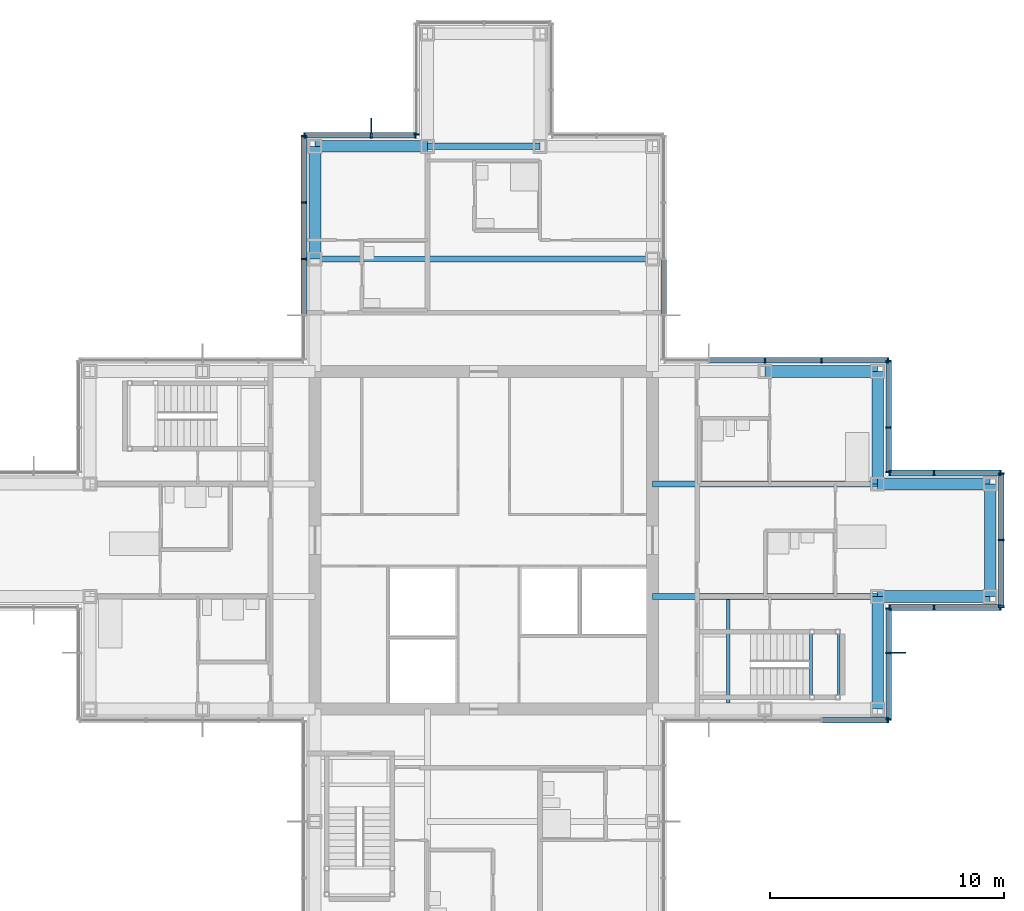
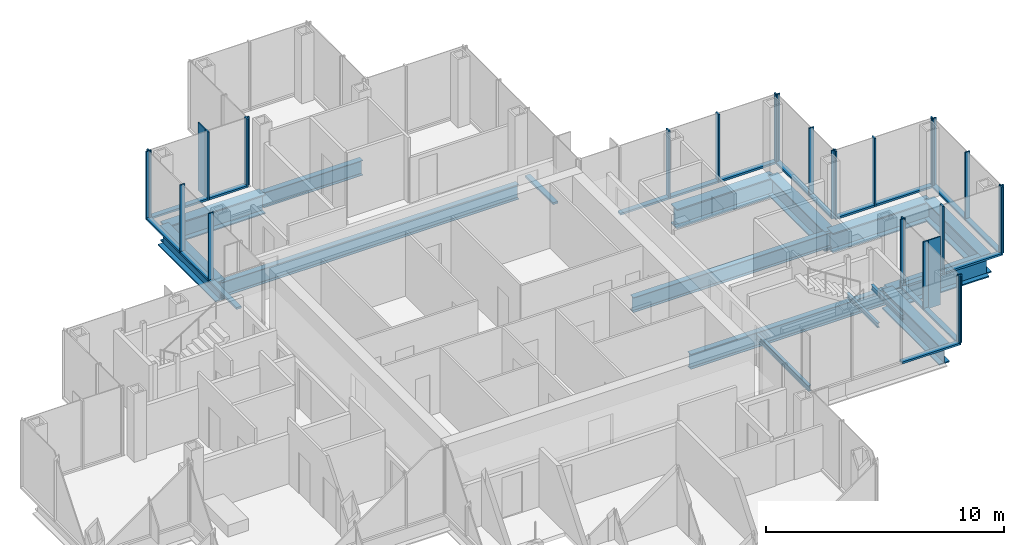
# One storey, part 8 of 17: 48 members, 15 beams, 11 elements without a shape of their own.
"""IFC4 building model written with IfcOpenShell, lengths in metres."""

import ifcopenshell
import ifcopenshell.guid

model = None  # the IFC model being written
_history = None  # IfcOwnerHistory: only IFC2X3 demands one
_inside = {}  # id of a spatial element -> (the spatial element, [elements in it])
_under = {}  # id of a project, library or spatial element -> (it, [spatial elements below it])
_declared = {}  # id of a project -> (the project, [libraries it declares])
_typed = {}  # id of a type object -> (the type object, [elements of that type])
_made_of = {}  # id of a material, layer set ... -> (it, [elements and type objects made of it])


def new_model(schema):
    """Start an empty IFC model of exactly this schema.

    Asked for "IFC4X3", IfcOpenShell would pick the latest addendum, in which some entities
    have other attributes; the version numbers below select the first issue.
    IFC2X3 requires an IfcOwnerHistory on every rooted entity: one is made here for all.
    """
    global model, _history
    if schema == "IFC4X3":
        model = ifcopenshell.file(schema_version=(4, 3, 0, 0))
    else:
        model = ifcopenshell.file(schema=schema)
    _inside.clear()
    _under.clear()
    _declared.clear()
    _typed.clear()
    _made_of.clear()
    _history = None
    if model.schema == "IFC2X3":
        org = make("IfcOrganization", Name="unknown")
        user = make(
            "IfcPersonAndOrganization",
            ThePerson=make("IfcPerson", FamilyName="unknown"),
            TheOrganization=org,
        )
        app = make(
            "IfcApplication",
            ApplicationDeveloper=org,
            Version="unknown",
            ApplicationFullName="unknown",
            ApplicationIdentifier="unknown",
        )
        _history = make(
            "IfcOwnerHistory",
            OwningUser=user,
            OwningApplication=app,
            ChangeAction="ADDED",
            CreationDate=0,
        )
    return model


def make(cls, **values):
    """One entity of the class cls with the attributes given. An attribute that is None is left unset."""
    return model.create_entity(
        cls, **{name: value for name, value in values.items() if value is not None}
    )


def rooted(cls, **values):
    """An entity with a GlobalId (a new one), such as an element, a storey or a relation."""
    return make(cls, GlobalId=ifcopenshell.guid.new(), OwnerHistory=_history, **values)


def si_unit(unit_type, name, prefix=None):
    """IfcSIUnit, for example si_unit("LENGTHUNIT", "METRE", prefix="MILLI")."""
    return make("IfcSIUnit", UnitType=unit_type, Prefix=prefix, Name=name)


def assignment(units):
    """IfcUnitAssignment: the units of a project."""
    return None if units is None else make("IfcUnitAssignment", Units=units)


def point(xyz):
    """IfcCartesianPoint."""
    return None if xyz is None else make("IfcCartesianPoint", Coordinates=xyz)


def direction(xyz):
    """IfcDirection."""
    return None if xyz is None else make("IfcDirection", DirectionRatios=xyz)


def frame(location, z_axis=None, x_axis=None):
    """IfcAxis2Placement3D, a coordinate frame: its origin and axes. An axis left out is left unset."""
    return make(
        "IfcAxis2Placement3D",
        Location=point(location),
        Axis=direction(z_axis),
        RefDirection=direction(x_axis),
    )


def frame_2d(location, x_axis=None):
    """IfcAxis2Placement2D, a coordinate frame in the plane: its origin and x axis."""
    return make(
        "IfcAxis2Placement2D", Location=point(location), RefDirection=direction(x_axis)
    )


def origin():
    """The frame at (0, 0, 0) with its axes left unset."""
    return frame((0.0, 0.0, 0.0))


def origin_2d():
    """The frame at (0, 0) in the plane with its x axis left unset."""
    return frame_2d((0.0, 0.0))


def place(relative_to, where):
    """IfcLocalPlacement: puts the frame where relative to a parent placement (None: the world)."""
    return make(
        "IfcLocalPlacement", PlacementRelTo=relative_to, RelativePlacement=where
    )


def context(
    kind, dimensions, precision=None, world=None, true_north=None, identifier=None
):
    """IfcGeometricRepresentationContext, for example the 3D "Model" context."""
    return make(
        "IfcGeometricRepresentationContext",
        ContextIdentifier=identifier,
        ContextType=kind,
        CoordinateSpaceDimension=dimensions,
        Precision=precision,
        WorldCoordinateSystem=world,
        TrueNorth=true_north,
    )


def subcontext(parent, identifier, kind, view, scale=None):
    """IfcGeometricRepresentationSubContext, for example "Body" below "Model"."""
    return make(
        "IfcGeometricRepresentationSubContext",
        ContextIdentifier=identifier,
        ContextType=kind,
        ParentContext=parent,
        TargetScale=scale,
        TargetView=view,
    )


def project(units=None, contexts=None):
    """IfcProject with its units and contexts."""
    return rooted(
        "IfcProject",
        Name="project",
        RepresentationContexts=contexts,
        UnitsInContext=assignment(units),
    )


def spatial(cls, under=None, at=None, **own):
    """A site, building, storey or space (cls), placed at a placement, below another one or the project."""
    s = rooted(cls, ObjectPlacement=at, **own)
    if under is not None:
        _under.setdefault(under.id(), (under, []))[1].append(s)
    return s


def profile(cls, at=None, kind="AREA", **sizes):
    """A parametric profile (cls). Its sizes go by their IFC names, for example OverallWidth=200.0."""
    return make(cls, ProfileType=kind, Position=at, **sizes)


def rectangle(**sizes):
    """IfcRectangleProfileDef."""
    return profile("IfcRectangleProfileDef", **sizes)


def i_section(**sizes):
    """IfcIShapeProfileDef."""
    return profile("IfcIShapeProfileDef", **sizes)


def extrude(swept, where, along, depth):
    """IfcExtrudedAreaSolid: the profile swept, set in the frame where, extruded along a direction by depth."""
    return make(
        "IfcExtrudedAreaSolid",
        SweptArea=swept,
        Position=where,
        ExtrudedDirection=direction(along),
        Depth=depth,
    )


def shape(context_of_items, identifier, shape_type, items):
    """IfcShapeRepresentation: the items that make up one representation, for example the "Body"."""
    return make(
        "IfcShapeRepresentation",
        ContextOfItems=context_of_items,
        RepresentationIdentifier=identifier,
        RepresentationType=shape_type,
        Items=items,
    )


def material(Name=None, Category=None):
    """IfcMaterial."""
    return make("IfcMaterial", Name=Name, Category=Category)


def material_profile(
    of_material, cross_section, Name=None, Category=None, Priority=None
):
    """IfcMaterialProfile: a cross section and its material."""
    return make(
        "IfcMaterialProfile",
        Name=Name,
        Material=of_material,
        Profile=cross_section,
        Priority=Priority,
        Category=Category,
    )


def profile_set(profiles, Name=None, composite=None):
    """IfcMaterialProfileSet."""
    return make(
        "IfcMaterialProfileSet",
        Name=Name,
        MaterialProfiles=profiles,
        CompositeProfile=composite,
    )


def made_of(thing, what):
    """Note that an element or type object is made of a material, layer set ...; save() writes the relation."""
    if what is not None:
        _made_of.setdefault(what.id(), (what, []))[1].append(thing)
    return thing


def type_object(cls, material=None, **own):
    """A type object (cls), such as IfcWallType, which elements share."""
    return made_of(rooted(cls, **own), material)


def element(
    cls,
    number,
    at=None,
    inside=None,
    cuts=None,
    type_object=None,
    material=None,
    context=None,
    identifier="Body",
    shape_type=None,
    held_by="IfcProductDefinitionShape",
    body=None,
    shapes=None,
    **own,
):
    """One element of the class cls, such as IfcWall. Its Tag is "e" and its number.

    at: its placement. inside: the storey or other place that contains it. cuts: it is an
    opening in that element (IfcRelVoidsElement). A single representation is given by context,
    identifier, shape_type and body (its items); several are given by shapes. held_by: the class
    of the entity that holds the representations. save() writes the other relations.
    """
    e = rooted(cls, Tag="e%d" % number, ObjectPlacement=at, **own)
    if body is not None:
        shapes = [shape(context, identifier, shape_type, body)]
    if shapes is not None:
        e.Representation = make(held_by, Representations=shapes)
    if inside is not None:
        _inside.setdefault(inside.id(), (inside, []))[1].append(e)
    if cuts is not None:
        rooted(
            "IfcRelVoidsElement", RelatingBuildingElement=cuts, RelatedOpeningElement=e
        )
    if type_object is not None:
        _typed.setdefault(type_object.id(), (type_object, []))[1].append(e)
    return made_of(e, material)


def aggregate(whole, parts):
    """IfcRelAggregates: a whole, such as a stair, and the parts it consists of."""
    return rooted("IfcRelAggregates", RelatingObject=whole, RelatedObjects=parts)


def save(model, path):
    """Write the relations noted so far, then the file.

    IfcRelAggregates (storeys below a building ...), IfcRelContainedInSpatialStructure (elements
    in a storey), IfcRelDefinesByType, IfcRelAssociatesMaterial and IfcRelDeclares: one each for
    every whole, place, type object, material and project.
    """
    for whole, parts in _under.values():
        aggregate(whole, parts)
    for where, things in _inside.values():
        rooted(
            "IfcRelContainedInSpatialStructure",
            RelatedElements=things,
            RelatingStructure=where,
        )
    for kind, things in _typed.values():
        rooted("IfcRelDefinesByType", RelatedObjects=things, RelatingType=kind)
    for what, things in _made_of.values():
        rooted("IfcRelAssociatesMaterial", RelatedObjects=things, RelatingMaterial=what)
    for by, libraries in _declared.values():
        rooted("IfcRelDeclares", RelatingContext=by, RelatedDefinitions=libraries)
    model.write(path)


model = new_model("IFC4")

# Units and contexts
model_context = context("Model", 3, precision=1e-05, world=origin(), true_north=direction((0.0, 1.0)))
body_context = subcontext(model_context, "Body", "Model", "MODEL_VIEW")
ifc_project = project(units=[si_unit("LENGTHUNIT", "METRE"), si_unit("AREAUNIT", "SQUARE_METRE"), si_unit("VOLUMEUNIT", "CUBIC_METRE"), si_unit("PLANEANGLEUNIT", "RADIAN"), si_unit("MASSUNIT", "GRAM", prefix="KILO")], contexts=[model_context])

# Site, building, storey
site_placement = place(None, origin())
site = spatial("IfcSite", under=ifc_project, at=site_placement, CompositionType="ELEMENT")
building_placement = place(site_placement, origin())
building = spatial("IfcBuilding", under=site, at=building_placement, Name="Kvirike Care Tower", CompositionType="ELEMENT")
storey_placement = place(building_placement, frame((0.0, 0.0, 172.5)))
storey = spatial("IfcBuildingStorey", under=building, at=storey_placement, Name="L47", CompositionType="ELEMENT", Elevation=172.5)

# Curtain wall, member
ifc_material_1 = material(Name="Anodised aluminium stick system", Category="aluminium")
curtain_wall_type = type_object("IfcCurtainWallType", Name="CW-C STICK CURTAIN WALL", PredefinedType="NOTDEFINED", material=ifc_material_1)
curtain_wall_1_placement = place(storey_placement, origin())
curtain_wall_1 = element("IfcCurtainWall", 1, at=curtain_wall_1_placement, inside=storey, type_object=curtain_wall_type, Name="Curtain wall L47 face 2", PredefinedType="NOTDEFINED")
ifc_material_2 = material(Name="Bronze anodised aluminium fin", Category="aluminium")
ifc_material_profile_1 = material_profile(ifc_material_2, rectangle(XDim=0.050048828125, YDim=0.60009765625, at=origin_2d()), Name="BRONZE FIN 600")
ifc_profile_set_1 = profile_set([ifc_material_profile_1], Name="Bronze anodised aluminium fin")
member_type_1 = type_object("IfcMemberType", Name="BRONZE FIN 600", PredefinedType="USERDEFINED", material=ifc_profile_set_1)
member_1_placement = place(storey_placement, frame((39.2900390625, 31.199951171875, 0.0), z_axis=(0.0, 0.0, 1.0), x_axis=(0.0, 1.0, 0.0)))
member_1 = element("IfcMember", 2, at=member_1_placement, type_object=member_type_1, Name="Bronze fin L47 face 2.2", ObjectType="FIN", PredefinedType="USERDEFINED", context=body_context, shape_type="SweptSolid", body=[
    extrude(rectangle(XDim=0.050048828125, YDim=0.60009765625, at=origin_2d()), origin(), (0.0, 0.0, 1.0), 3.5),
])

curtain_wall_2_placement = place(storey_placement, origin())
curtain_wall_2 = element("IfcCurtainWall", 3, at=curtain_wall_2_placement, inside=storey, type_object=curtain_wall_type, Name="Curtain wall L47 face 13", PredefinedType="NOTDEFINED")
member_2_placement = place(storey_placement, frame((16.800048828125, 53.68994140625, 0.0), z_axis=(0.0, 0.0, 1.0), x_axis=(-1.0, 0.0, 0.0)))
member_2 = element("IfcMember", 4, at=member_2_placement, type_object=member_type_1, Name="Bronze fin L47 face 13.2", ObjectType="FIN", PredefinedType="USERDEFINED", context=body_context, shape_type="SweptSolid", body=[
    extrude(rectangle(XDim=0.050048828125, YDim=0.60009765625, at=origin_2d()), origin(), (0.0, 0.0, 1.0), 3.5),
])

curtain_wall_3_placement = place(storey_placement, origin())
curtain_wall_3 = element("IfcCurtainWall", 5, at=curtain_wall_3_placement, inside=storey, type_object=curtain_wall_type, Name="Curtain wall L47 face 1", PredefinedType="NOTDEFINED")
ifc_material_3 = material(Name="Bronze anodised aluminium mullion", Category="aluminium")
ifc_material_profile_2 = material_profile(ifc_material_3, rectangle(XDim=0.06494140625, YDim=0.239990234375, at=origin_2d()), Name="CW-C MULLION 65x240")
ifc_profile_set_2 = profile_set([ifc_material_profile_2], Name="Bronze anodised aluminium mullion")
member_type_2 = type_object("IfcMemberType", Name="CW-C MULLION 65x240", PredefinedType="MULLION", material=ifc_profile_set_2)
member_3_placement = place(storey_placement, frame((38.83740234375, 28.330078125, 0.0), z_axis=(0.0, 0.0, 1.0), x_axis=(1.0, 0.0, 0.0)))
member_3 = element("IfcMember", 6, at=member_3_placement, type_object=member_type_2, Name="CW-C mullion L47 face 1.5", PredefinedType="MULLION", context=body_context, shape_type="SweptSolid", body=[
    extrude(rectangle(XDim=0.06494140625, YDim=0.239990234375, at=origin_2d()), origin(), (0.0, 0.0, 1.0), 3.5),
])

# Member
member_4_placement = place(storey_placement, frame((38.8701171875, 28.362548828125, 0.0), z_axis=(0.0, 0.0, 1.0), x_axis=(0.0, 1.0, 0.0)))
member_4 = element("IfcMember", 7, at=member_4_placement, type_object=member_type_2, Name="CW-C mullion L47 face 2.1", PredefinedType="MULLION", context=body_context, shape_type="SweptSolid", body=[
    extrude(rectangle(XDim=0.06494140625, YDim=0.239990234375, at=origin_2d()), origin(), (0.0, 0.0, 1.0), 3.5),
])

member_5_placement = place(storey_placement, frame((38.8701171875, 31.199951171875, 0.0), z_axis=(0.0, 0.0, 1.0), x_axis=(0.0, 1.0, 0.0)))
member_5 = element("IfcMember", 8, at=member_5_placement, type_object=member_type_2, Name="CW-C mullion L47 face 2.2", PredefinedType="MULLION", context=body_context, shape_type="SweptSolid", body=[
    extrude(rectangle(XDim=0.06494140625, YDim=0.239990234375, at=origin_2d()), origin(), (0.0, 0.0, 1.0), 3.5),
])

member_6_placement = place(storey_placement, frame((38.8701171875, 33.097412109375, 0.0), z_axis=(0.0, 0.0, 1.0), x_axis=(0.0, 1.0, 0.0)))
member_6 = element("IfcMember", 9, at=member_6_placement, type_object=member_type_2, Name="CW-C mullion L47 face 2.3", PredefinedType="MULLION", context=body_context, shape_type="SweptSolid", body=[
    extrude(rectangle(XDim=0.06494140625, YDim=0.239990234375, at=origin_2d()), origin(), (0.0, 0.0, 1.0), 3.5),
])

# Curtain wall, members
curtain_wall_4_placement = place(storey_placement, origin())
curtain_wall_4 = element("IfcCurtainWall", 10, at=curtain_wall_4_placement, inside=storey, type_object=curtain_wall_type, Name="Curtain wall L47 face 3", PredefinedType="NOTDEFINED")
member_7_placement = place(storey_placement, frame((38.902587890625, 33.1298828125, 0.0), z_axis=(0.0, 0.0, 1.0), x_axis=(1.0, 0.0, 0.0)))
member_7 = element("IfcMember", 11, at=member_7_placement, type_object=member_type_2, Name="CW-C mullion L47 face 3.1", PredefinedType="MULLION", context=body_context, shape_type="SweptSolid", body=[
    extrude(rectangle(XDim=0.06494140625, YDim=0.239990234375, at=origin_2d()), origin(), (0.0, 0.0, 1.0), 3.5),
])
member_8_placement = place(storey_placement, frame((40.800048828125, 33.1298828125, 0.0), z_axis=(0.0, 0.0, 1.0), x_axis=(1.0, 0.0, 0.0)))
member_8 = element("IfcMember", 12, at=member_8_placement, type_object=member_type_2, Name="CW-C mullion L47 face 3.2", PredefinedType="MULLION", context=body_context, shape_type="SweptSolid", body=[
    extrude(rectangle(XDim=0.06494140625, YDim=0.239990234375, at=origin_2d()), origin(), (0.0, 0.0, 1.0), 3.5),
])
member_9_placement = place(storey_placement, frame((43.637451171875, 33.1298828125, 0.0), z_axis=(0.0, 0.0, 1.0), x_axis=(1.0, 0.0, 0.0)))
member_9 = element("IfcMember", 13, at=member_9_placement, type_object=member_type_2, Name="CW-C mullion L47 face 3.3", PredefinedType="MULLION", context=body_context, shape_type="SweptSolid", body=[
    extrude(rectangle(XDim=0.06494140625, YDim=0.239990234375, at=origin_2d()), origin(), (0.0, 0.0, 1.0), 3.5),
])

curtain_wall_5_placement = place(storey_placement, origin())
curtain_wall_5 = element("IfcCurtainWall", 14, at=curtain_wall_5_placement, inside=storey, type_object=curtain_wall_type, Name="Curtain wall L47 face 4", PredefinedType="NOTDEFINED")
member_10_placement = place(storey_placement, frame((43.669921875, 33.16259765625, 0.0), z_axis=(0.0, 0.0, 1.0), x_axis=(0.0, 1.0, 0.0)))
member_10 = element("IfcMember", 15, at=member_10_placement, type_object=member_type_2, Name="CW-C mullion L47 face 4.1", PredefinedType="MULLION", context=body_context, shape_type="SweptSolid", body=[
    extrude(rectangle(XDim=0.06494140625, YDim=0.239990234375, at=origin_2d()), origin(), (0.0, 0.0, 1.0), 3.5),
])
member_11_placement = place(storey_placement, frame((43.669921875, 36.0, 0.0), z_axis=(0.0, 0.0, 1.0), x_axis=(0.0, 1.0, 0.0)))
member_11 = element("IfcMember", 16, at=member_11_placement, type_object=member_type_2, Name="CW-C mullion L47 face 4.2", PredefinedType="MULLION", context=body_context, shape_type="SweptSolid", body=[
    extrude(rectangle(XDim=0.06494140625, YDim=0.239990234375, at=origin_2d()), origin(), (0.0, 0.0, 1.0), 3.5),
])
member_12_placement = place(storey_placement, frame((43.669921875, 38.83740234375, 0.0), z_axis=(0.0, 0.0, 1.0), x_axis=(0.0, 1.0, 0.0)))
member_12 = element("IfcMember", 17, at=member_12_placement, type_object=member_type_2, Name="CW-C mullion L47 face 4.3", PredefinedType="MULLION", context=body_context, shape_type="SweptSolid", body=[
    extrude(rectangle(XDim=0.06494140625, YDim=0.239990234375, at=origin_2d()), origin(), (0.0, 0.0, 1.0), 3.5),
])

curtain_wall_6_placement = place(storey_placement, origin())
curtain_wall_6 = element("IfcCurtainWall", 18, at=curtain_wall_6_placement, inside=storey, type_object=curtain_wall_type, Name="Curtain wall L47 face 5", PredefinedType="NOTDEFINED")
member_13_placement = place(storey_placement, frame((43.637451171875, 38.8701171875, 0.0), z_axis=(0.0, 0.0, 1.0), x_axis=(-1.0, 0.0, 0.0)))
member_13 = element("IfcMember", 19, at=member_13_placement, type_object=member_type_2, Name="CW-C mullion L47 face 5.1", PredefinedType="MULLION", context=body_context, shape_type="SweptSolid", body=[
    extrude(rectangle(XDim=0.06494140625, YDim=0.239990234375, at=origin_2d()), origin(), (0.0, 0.0, 1.0), 3.5),
])
member_14_placement = place(storey_placement, frame((40.800048828125, 38.8701171875, 0.0), z_axis=(0.0, 0.0, 1.0), x_axis=(-1.0, 0.0, 0.0)))
member_14 = element("IfcMember", 20, at=member_14_placement, type_object=member_type_2, Name="CW-C mullion L47 face 5.2", PredefinedType="MULLION", context=body_context, shape_type="SweptSolid", body=[
    extrude(rectangle(XDim=0.06494140625, YDim=0.239990234375, at=origin_2d()), origin(), (0.0, 0.0, 1.0), 3.5),
])
member_15_placement = place(storey_placement, frame((38.902587890625, 38.8701171875, 0.0), z_axis=(0.0, 0.0, 1.0), x_axis=(-1.0, 0.0, 0.0)))
member_15 = element("IfcMember", 21, at=member_15_placement, type_object=member_type_2, Name="CW-C mullion L47 face 5.3", PredefinedType="MULLION", context=body_context, shape_type="SweptSolid", body=[
    extrude(rectangle(XDim=0.06494140625, YDim=0.239990234375, at=origin_2d()), origin(), (0.0, 0.0, 1.0), 3.5),
])

curtain_wall_7_placement = place(storey_placement, origin())
curtain_wall_7 = element("IfcCurtainWall", 22, at=curtain_wall_7_placement, inside=storey, type_object=curtain_wall_type, Name="Curtain wall L47 face 6", PredefinedType="NOTDEFINED")
member_16_placement = place(storey_placement, frame((38.8701171875, 38.902587890625, 0.0), z_axis=(0.0, 0.0, 1.0), x_axis=(0.0, 1.0, 0.0)))
member_16 = element("IfcMember", 23, at=member_16_placement, type_object=member_type_2, Name="CW-C mullion L47 face 6.1", PredefinedType="MULLION", context=body_context, shape_type="SweptSolid", body=[
    extrude(rectangle(XDim=0.06494140625, YDim=0.239990234375, at=origin_2d()), origin(), (0.0, 0.0, 1.0), 3.5),
])
member_17_placement = place(storey_placement, frame((38.8701171875, 40.800048828125, 0.0), z_axis=(0.0, 0.0, 1.0), x_axis=(0.0, 1.0, 0.0)))
member_17 = element("IfcMember", 24, at=member_17_placement, type_object=member_type_2, Name="CW-C mullion L47 face 6.2", PredefinedType="MULLION", context=body_context, shape_type="SweptSolid", body=[
    extrude(rectangle(XDim=0.06494140625, YDim=0.239990234375, at=origin_2d()), origin(), (0.0, 0.0, 1.0), 3.5),
])
member_18_placement = place(storey_placement, frame((38.8701171875, 43.637451171875, 0.0), z_axis=(0.0, 0.0, 1.0), x_axis=(0.0, 1.0, 0.0)))
member_18 = element("IfcMember", 25, at=member_18_placement, type_object=member_type_2, Name="CW-C mullion L47 face 6.3", PredefinedType="MULLION", context=body_context, shape_type="SweptSolid", body=[
    extrude(rectangle(XDim=0.06494140625, YDim=0.239990234375, at=origin_2d()), origin(), (0.0, 0.0, 1.0), 3.5),
])

curtain_wall_8_placement = place(storey_placement, origin())
curtain_wall_8 = element("IfcCurtainWall", 26, at=curtain_wall_8_placement, inside=storey, type_object=curtain_wall_type, Name="Curtain wall L47 face 7", PredefinedType="NOTDEFINED")
member_19_placement = place(storey_placement, frame((38.83740234375, 43.669921875, 0.0), z_axis=(0.0, 0.0, 1.0), x_axis=(-1.0, 0.0, 0.0)))
member_19 = element("IfcMember", 27, at=member_19_placement, type_object=member_type_2, Name="CW-C mullion L47 face 7.1", PredefinedType="MULLION", context=body_context, shape_type="SweptSolid", body=[
    extrude(rectangle(XDim=0.06494140625, YDim=0.239990234375, at=origin_2d()), origin(), (0.0, 0.0, 1.0), 3.5),
])
member_20_placement = place(storey_placement, frame((36.0, 43.669921875, 0.0), z_axis=(0.0, 0.0, 1.0), x_axis=(-1.0, 0.0, 0.0)))
member_20 = element("IfcMember", 28, at=member_20_placement, type_object=member_type_2, Name="CW-C mullion L47 face 7.2", PredefinedType="MULLION", context=body_context, shape_type="SweptSolid", body=[
    extrude(rectangle(XDim=0.06494140625, YDim=0.239990234375, at=origin_2d()), origin(), (0.0, 0.0, 1.0), 3.5),
])
member_21_placement = place(storey_placement, frame((33.60009765625, 43.669921875, 0.0), z_axis=(0.0, 0.0, 1.0), x_axis=(-1.0, 0.0, 0.0)))
member_21 = element("IfcMember", 29, at=member_21_placement, type_object=member_type_2, Name="CW-C mullion L47 face 7.3", PredefinedType="MULLION", context=body_context, shape_type="SweptSolid", body=[
    extrude(rectangle(XDim=0.06494140625, YDim=0.239990234375, at=origin_2d()), origin(), (0.0, 0.0, 1.0), 3.5),
])

# Curtain wall, member
curtain_wall_9_placement = place(storey_placement, origin())
curtain_wall_9 = element("IfcCurtainWall", 30, at=curtain_wall_9_placement, inside=storey, type_object=curtain_wall_type, Name="Curtain wall L47 face 12", PredefinedType="NOTDEFINED")
member_22_placement = place(storey_placement, frame((18.72998046875, 53.302490234375, 0.0), z_axis=(0.0, 0.0, 1.0), x_axis=(0.0, -1.0, 0.0)))
member_22 = element("IfcMember", 31, at=member_22_placement, type_object=member_type_2, Name="CW-C mullion L47 face 12.3", PredefinedType="MULLION", context=body_context, shape_type="SweptSolid", body=[
    extrude(rectangle(XDim=0.06494140625, YDim=0.239990234375, at=origin_2d()), origin(), (0.0, 0.0, 1.0), 3.5),
])
aggregate(curtain_wall_9, [member_22])

# Member
member_23_placement = place(storey_placement, frame((18.697509765625, 53.27001953125, 0.0), z_axis=(0.0, 0.0, 1.0), x_axis=(-1.0, 0.0, 0.0)))
member_23 = element("IfcMember", 32, at=member_23_placement, type_object=member_type_2, Name="CW-C mullion L47 face 13.1", PredefinedType="MULLION", context=body_context, shape_type="SweptSolid", body=[
    extrude(rectangle(XDim=0.06494140625, YDim=0.239990234375, at=origin_2d()), origin(), (0.0, 0.0, 1.0), 3.5),
])

member_24_placement = place(storey_placement, frame((16.800048828125, 53.27001953125, 0.0), z_axis=(0.0, 0.0, 1.0), x_axis=(-1.0, 0.0, 0.0)))
member_24 = element("IfcMember", 33, at=member_24_placement, type_object=member_type_2, Name="CW-C mullion L47 face 13.2", PredefinedType="MULLION", context=body_context, shape_type="SweptSolid", body=[
    extrude(rectangle(XDim=0.06494140625, YDim=0.239990234375, at=origin_2d()), origin(), (0.0, 0.0, 1.0), 3.5),
])

member_25_placement = place(storey_placement, frame((13.96240234375, 53.27001953125, 0.0), z_axis=(0.0, 0.0, 1.0), x_axis=(-1.0, 0.0, 0.0)))
member_25 = element("IfcMember", 34, at=member_25_placement, type_object=member_type_2, Name="CW-C mullion L47 face 13.3", PredefinedType="MULLION", context=body_context, shape_type="SweptSolid", body=[
    extrude(rectangle(XDim=0.06494140625, YDim=0.239990234375, at=origin_2d()), origin(), (0.0, 0.0, 1.0), 3.5),
])

# Curtain wall, members
curtain_wall_10_placement = place(storey_placement, origin())
curtain_wall_10 = element("IfcCurtainWall", 35, at=curtain_wall_10_placement, inside=storey, type_object=curtain_wall_type, Name="Curtain wall L47 face 14", PredefinedType="NOTDEFINED")
member_26_placement = place(storey_placement, frame((13.929931640625, 53.237548828125, 0.0), z_axis=(0.0, 0.0, 1.0), x_axis=(0.0, -1.0, 0.0)))
member_26 = element("IfcMember", 36, at=member_26_placement, type_object=member_type_2, Name="CW-C mullion L47 face 14.1", PredefinedType="MULLION", context=body_context, shape_type="SweptSolid", body=[
    extrude(rectangle(XDim=0.06494140625, YDim=0.239990234375, at=origin_2d()), origin(), (0.0, 0.0, 1.0), 3.5),
])
member_27_placement = place(storey_placement, frame((13.929931640625, 50.39990234375, 0.0), z_axis=(0.0, 0.0, 1.0), x_axis=(0.0, -1.0, 0.0)))
member_27 = element("IfcMember", 37, at=member_27_placement, type_object=member_type_2, Name="CW-C mullion L47 face 14.2", PredefinedType="MULLION", context=body_context, shape_type="SweptSolid", body=[
    extrude(rectangle(XDim=0.06494140625, YDim=0.239990234375, at=origin_2d()), origin(), (0.0, 0.0, 1.0), 3.5),
])
member_28_placement = place(storey_placement, frame((13.929931640625, 48.0, 0.0), z_axis=(0.0, 0.0, 1.0), x_axis=(0.0, -1.0, 0.0)))
member_28 = element("IfcMember", 38, at=member_28_placement, type_object=member_type_2, Name="CW-C mullion L47 face 14.3", PredefinedType="MULLION", context=body_context, shape_type="SweptSolid", body=[
    extrude(rectangle(XDim=0.06494140625, YDim=0.239990234375, at=origin_2d()), origin(), (0.0, 0.0, 1.0), 3.5),
])

# Member
ifc_material_4 = material(Name="Bronze anodised aluminium transom", Category="aluminium")
ifc_material_profile_3 = material_profile(ifc_material_4, rectangle(XDim=0.239990234375, YDim=0.10009765625, at=origin_2d()), Name="CW-C TRANSOM 240x100")
ifc_profile_set_3 = profile_set([ifc_material_profile_3], Name="Bronze anodised aluminium transom")
member_type_3 = type_object("IfcMemberType", Name="CW-C TRANSOM 240x100", PredefinedType="USERDEFINED", material=ifc_profile_set_3)
member_29_placement = place(storey_placement, frame((36.032470703125, 28.330078125, 0.050048828125), z_axis=(1.0, 0.0, 0.0), x_axis=(0.0, 1.0, 0.0)))
member_29 = element("IfcMember", 39, at=member_29_placement, type_object=member_type_3, Name="CW-C sill transom L47 face 1.4", ObjectType="TRANSOM", PredefinedType="USERDEFINED", context=body_context, shape_type="SweptSolid", body=[
    extrude(rectangle(XDim=0.239990234375, YDim=0.10009765625, at=origin_2d()), origin(), (0.0, 0.0, 1.0), 2.7724609375),
])

aggregate(curtain_wall_3, [member_3, member_29])

member_30_placement = place(storey_placement, frame((38.8701171875, 28.39501953125, 0.050048828125), z_axis=(0.0, 1.0, 0.0), x_axis=(-1.0, 0.0, 0.0)))
member_30 = element("IfcMember", 40, at=member_30_placement, type_object=member_type_3, Name="CW-C sill transom L47 face 2.1", ObjectType="TRANSOM", PredefinedType="USERDEFINED", context=body_context, shape_type="SweptSolid", body=[
    extrude(rectangle(XDim=0.239990234375, YDim=0.10009765625, at=origin_2d()), origin(), (0.0, 0.0, 1.0), 2.7724609375),
])

member_31_placement = place(storey_placement, frame((38.8701171875, 31.232421875, 0.050048828125), z_axis=(0.0, 1.0, 0.0), x_axis=(-1.0, 0.0, 0.0)))
member_31 = element("IfcMember", 41, at=member_31_placement, type_object=member_type_3, Name="CW-C sill transom L47 face 2.2", ObjectType="TRANSOM", PredefinedType="USERDEFINED", context=body_context, shape_type="SweptSolid", body=[
    extrude(rectangle(XDim=0.239990234375, YDim=0.10009765625, at=origin_2d()), origin(), (0.0, 0.0, 1.0), 1.83251953125),
])

aggregate(curtain_wall_1, [member_4, member_5, member_1, member_6, member_30, member_31])

member_32_placement = place(storey_placement, frame((38.93505859375, 33.1298828125, 0.050048828125), z_axis=(1.0, 0.0, 0.0), x_axis=(0.0, 1.0, 0.0)))
member_32 = element("IfcMember", 42, at=member_32_placement, type_object=member_type_3, Name="CW-C sill transom L47 face 3.1", ObjectType="TRANSOM", PredefinedType="USERDEFINED", context=body_context, shape_type="SweptSolid", body=[
    extrude(rectangle(XDim=0.239990234375, YDim=0.10009765625, at=origin_2d()), origin(), (0.0, 0.0, 1.0), 1.83251953125),
])

member_33_placement = place(storey_placement, frame((40.83251953125, 33.1298828125, 0.050048828125), z_axis=(1.0, 0.0, 0.0), x_axis=(0.0, 1.0, 0.0)))
member_33 = element("IfcMember", 43, at=member_33_placement, type_object=member_type_3, Name="CW-C sill transom L47 face 3.2", ObjectType="TRANSOM", PredefinedType="USERDEFINED", context=body_context, shape_type="SweptSolid", body=[
    extrude(rectangle(XDim=0.239990234375, YDim=0.10009765625, at=origin_2d()), origin(), (0.0, 0.0, 1.0), 2.7724609375),
])

aggregate(curtain_wall_4, [member_7, member_8, member_9, member_32, member_33])

member_34_placement = place(storey_placement, frame((43.669921875, 33.195068359375, 0.050048828125), z_axis=(0.0, 1.0, 0.0), x_axis=(-1.0, 0.0, 0.0)))
member_34 = element("IfcMember", 44, at=member_34_placement, type_object=member_type_3, Name="CW-C sill transom L47 face 4.1", ObjectType="TRANSOM", PredefinedType="USERDEFINED", context=body_context, shape_type="SweptSolid", body=[
    extrude(rectangle(XDim=0.239990234375, YDim=0.10009765625, at=origin_2d()), origin(), (0.0, 0.0, 1.0), 2.7724609375),
])

member_35_placement = place(storey_placement, frame((43.669921875, 36.032470703125, 0.050048828125), z_axis=(0.0, 1.0, 0.0), x_axis=(-1.0, 0.0, 0.0)))
member_35 = element("IfcMember", 45, at=member_35_placement, type_object=member_type_3, Name="CW-C sill transom L47 face 4.2", ObjectType="TRANSOM", PredefinedType="USERDEFINED", context=body_context, shape_type="SweptSolid", body=[
    extrude(rectangle(XDim=0.239990234375, YDim=0.10009765625, at=origin_2d()), origin(), (0.0, 0.0, 1.0), 2.7724609375),
])

aggregate(curtain_wall_5, [member_10, member_11, member_12, member_34, member_35])

member_36_placement = place(storey_placement, frame((43.60498046875, 38.8701171875, 0.050048828125), z_axis=(-1.0, 0.0, 0.0), x_axis=(0.0, -1.0, 0.0)))
member_36 = element("IfcMember", 46, at=member_36_placement, type_object=member_type_3, Name="CW-C sill transom L47 face 5.1", ObjectType="TRANSOM", PredefinedType="USERDEFINED", context=body_context, shape_type="SweptSolid", body=[
    extrude(rectangle(XDim=0.239990234375, YDim=0.10009765625, at=origin_2d()), origin(), (0.0, 0.0, 1.0), 2.7724609375),
])

member_37_placement = place(storey_placement, frame((40.767578125, 38.8701171875, 0.050048828125), z_axis=(-1.0, 0.0, 0.0), x_axis=(0.0, -1.0, 0.0)))
member_37 = element("IfcMember", 47, at=member_37_placement, type_object=member_type_3, Name="CW-C sill transom L47 face 5.2", ObjectType="TRANSOM", PredefinedType="USERDEFINED", context=body_context, shape_type="SweptSolid", body=[
    extrude(rectangle(XDim=0.239990234375, YDim=0.10009765625, at=origin_2d()), origin(), (0.0, 0.0, 1.0), 1.83251953125),
])

aggregate(curtain_wall_6, [member_13, member_14, member_15, member_36, member_37])

member_38_placement = place(storey_placement, frame((38.8701171875, 38.93505859375, 0.050048828125), z_axis=(0.0, 1.0, 0.0), x_axis=(-1.0, 0.0, 0.0)))
member_38 = element("IfcMember", 48, at=member_38_placement, type_object=member_type_3, Name="CW-C sill transom L47 face 6.1", ObjectType="TRANSOM", PredefinedType="USERDEFINED", context=body_context, shape_type="SweptSolid", body=[
    extrude(rectangle(XDim=0.239990234375, YDim=0.10009765625, at=origin_2d()), origin(), (0.0, 0.0, 1.0), 1.83251953125),
])

member_39_placement = place(storey_placement, frame((38.8701171875, 40.83251953125, 0.050048828125), z_axis=(0.0, 1.0, 0.0), x_axis=(-1.0, 0.0, 0.0)))
member_39 = element("IfcMember", 49, at=member_39_placement, type_object=member_type_3, Name="CW-C sill transom L47 face 6.2", ObjectType="TRANSOM", PredefinedType="USERDEFINED", context=body_context, shape_type="SweptSolid", body=[
    extrude(rectangle(XDim=0.239990234375, YDim=0.10009765625, at=origin_2d()), origin(), (0.0, 0.0, 1.0), 2.7724609375),
])

aggregate(curtain_wall_7, [member_16, member_17, member_18, member_38, member_39])

member_40_placement = place(storey_placement, frame((38.804931640625, 43.669921875, 0.050048828125), z_axis=(-1.0, 0.0, 0.0), x_axis=(0.0, -1.0, 0.0)))
member_40 = element("IfcMember", 50, at=member_40_placement, type_object=member_type_3, Name="CW-C sill transom L47 face 7.1", ObjectType="TRANSOM", PredefinedType="USERDEFINED", context=body_context, shape_type="SweptSolid", body=[
    extrude(rectangle(XDim=0.239990234375, YDim=0.10009765625, at=origin_2d()), origin(), (0.0, 0.0, 1.0), 2.7724609375),
])

member_41_placement = place(storey_placement, frame((35.967529296875, 43.669921875, 0.050048828125), z_axis=(-1.0, 0.0, 0.0), x_axis=(0.0, -1.0, 0.0)))
member_41 = element("IfcMember", 51, at=member_41_placement, type_object=member_type_3, Name="CW-C sill transom L47 face 7.2", ObjectType="TRANSOM", PredefinedType="USERDEFINED", context=body_context, shape_type="SweptSolid", body=[
    extrude(rectangle(XDim=0.239990234375, YDim=0.10009765625, at=origin_2d()), origin(), (0.0, 0.0, 1.0), 2.3349609375),
])

member_42_placement = place(storey_placement, frame((33.5673828125, 43.669921875, 0.050048828125), z_axis=(-1.0, 0.0, 0.0), x_axis=(0.0, -1.0, 0.0)))
member_42 = element("IfcMember", 52, at=member_42_placement, type_object=member_type_3, Name="CW-C sill transom L47 face 7.3", ObjectType="TRANSOM", PredefinedType="USERDEFINED", context=body_context, shape_type="SweptSolid", body=[
    extrude(rectangle(XDim=0.239990234375, YDim=0.10009765625, at=origin_2d()), origin(), (0.0, 0.0, 1.0), 2.3349609375),
])

aggregate(curtain_wall_8, [member_19, member_20, member_21, member_40, member_41, member_42])

# Curtain wall, member
curtain_wall_11_placement = place(storey_placement, origin())
curtain_wall_11 = element("IfcCurtainWall", 53, at=curtain_wall_11_placement, inside=storey, type_object=curtain_wall_type, Name="Curtain wall L47 face 8", PredefinedType="NOTDEFINED")
member_43_placement = place(storey_placement, frame((29.27001953125, 45.632568359375, 0.050048828125), z_axis=(0.0, 1.0, 0.0), x_axis=(-1.0, 0.0, 0.0)))
member_43 = element("IfcMember", 54, at=member_43_placement, type_object=member_type_3, Name="CW-C sill transom L47 face 8.2", ObjectType="TRANSOM", PredefinedType="USERDEFINED", context=body_context, shape_type="SweptSolid", body=[
    extrude(rectangle(XDim=0.239990234375, YDim=0.10009765625, at=origin_2d()), origin(), (0.0, 0.0, 1.0), 2.3349609375),
])
aggregate(curtain_wall_11, [member_43])

# Member
member_44_placement = place(storey_placement, frame((18.6650390625, 53.27001953125, 0.050048828125), z_axis=(-1.0, 0.0, 0.0), x_axis=(0.0, -1.0, 0.0)))
member_44 = element("IfcMember", 55, at=member_44_placement, type_object=member_type_3, Name="CW-C sill transom L47 face 13.1", ObjectType="TRANSOM", PredefinedType="USERDEFINED", context=body_context, shape_type="SweptSolid", body=[
    extrude(rectangle(XDim=0.239990234375, YDim=0.10009765625, at=origin_2d()), origin(), (0.0, 0.0, 1.0), 1.83251953125),
])

member_45_placement = place(storey_placement, frame((16.767578125, 53.27001953125, 0.050048828125), z_axis=(-1.0, 0.0, 0.0), x_axis=(0.0, -1.0, 0.0)))
member_45 = element("IfcMember", 56, at=member_45_placement, type_object=member_type_3, Name="CW-C sill transom L47 face 13.2", ObjectType="TRANSOM", PredefinedType="USERDEFINED", context=body_context, shape_type="SweptSolid", body=[
    extrude(rectangle(XDim=0.239990234375, YDim=0.10009765625, at=origin_2d()), origin(), (0.0, 0.0, 1.0), 2.7724609375),
])

aggregate(curtain_wall_2, [member_23, member_24, member_2, member_25, member_44, member_45])

member_46_placement = place(storey_placement, frame((13.929931640625, 53.205078125, 0.050048828125), z_axis=(0.0, -1.0, 0.0), x_axis=(1.0, 0.0, 0.0)))
member_46 = element("IfcMember", 57, at=member_46_placement, type_object=member_type_3, Name="CW-C sill transom L47 face 14.1", ObjectType="TRANSOM", PredefinedType="USERDEFINED", context=body_context, shape_type="SweptSolid", body=[
    extrude(rectangle(XDim=0.239990234375, YDim=0.10009765625, at=origin_2d()), origin(), (0.0, 0.0, 1.0), 2.7724609375),
])

member_47_placement = place(storey_placement, frame((13.929931640625, 50.367431640625, 0.050048828125), z_axis=(0.0, -1.0, 0.0), x_axis=(1.0, 0.0, 0.0)))
member_47 = element("IfcMember", 58, at=member_47_placement, type_object=member_type_3, Name="CW-C sill transom L47 face 14.2", ObjectType="TRANSOM", PredefinedType="USERDEFINED", context=body_context, shape_type="SweptSolid", body=[
    extrude(rectangle(XDim=0.239990234375, YDim=0.10009765625, at=origin_2d()), origin(), (0.0, 0.0, 1.0), 2.3349609375),
])

member_48_placement = place(storey_placement, frame((13.929931640625, 47.967529296875, 0.050048828125), z_axis=(0.0, -1.0, 0.0), x_axis=(1.0, 0.0, 0.0)))
member_48 = element("IfcMember", 59, at=member_48_placement, type_object=member_type_3, Name="CW-C sill transom L47 face 14.3", ObjectType="TRANSOM", PredefinedType="USERDEFINED", context=body_context, shape_type="SweptSolid", body=[
    extrude(rectangle(XDim=0.239990234375, YDim=0.10009765625, at=origin_2d()), origin(), (0.0, 0.0, 1.0), 2.3349609375),
])

aggregate(curtain_wall_10, [member_26, member_27, member_28, member_46, member_47, member_48])

# Beams
ifc_material_5 = material(Name="Steel S355", Category="steel")
ifc_material_profile_4 = material_profile(ifc_material_5, i_section(OverallWidth=0.26806640625, OverallDepth=0.77001953125, WebThickness=0.015625, FlangeThickness=0.025390625, FilletRadius=0.01708984375, at=origin_2d()), Name="IPE 750x196")
ifc_profile_set_4 = profile_set([ifc_material_profile_4], Name="Steel S355")
beam_type_1 = type_object("IfcBeamType", Name="FLOOR BEAM IPE 750x196", PredefinedType="BEAM", material=ifc_profile_set_4)
for number, where, z_axis, x_axis, name in (
    (60, (28.800048828125, 33.60009765625, -0.554931640625), (1.0, 0.0, 0.0), (0.0, 1.0, 0.0), "Floor Beam H9-H11 L47"),
    (61, (28.800048828125, 38.39990234375, -0.554931640625), (1.0, 0.0, 0.0), (0.0, 1.0, 0.0), "Floor Beam J9-J11 L47"),
):
    element("IfcBeam", number, at=place(storey_placement, frame(where, z_axis=z_axis, x_axis=x_axis)), inside=storey, type_object=beam_type_1, Name=name, PredefinedType="BEAM", context=body_context, shape_type="SweptSolid", body=[
        extrude(i_section(OverallWidth=0.26806640625, OverallDepth=0.77001953125, WebThickness=0.015625, FlangeThickness=0.025390625, FilletRadius=0.01708984375, at=origin_2d()), origin(), (0.0, 0.0, 1.0), 9.599853515625),
    ])
beam_1_placement = place(storey_placement, frame((14.39990234375, 48.0, -0.554931640625), z_axis=(1.0, 0.0, 0.0), x_axis=(0.0, 1.0, 0.0)))
element("IfcBeam", 62, at=beam_1_placement, inside=storey, type_object=beam_type_1, Name="Floor Beam L6-L9 L47", PredefinedType="BEAM", context=body_context, shape_type="SweptSolid", body=[
    extrude(i_section(OverallWidth=0.26806640625, OverallDepth=0.77001953125, WebThickness=0.015625, FlangeThickness=0.025390625, FilletRadius=0.01708984375, at=origin_2d()), origin(), (0.0, 0.0, 1.0), 14.400146484375),
])
beam_2_placement = place(storey_placement, frame((19.199951171875, 52.800048828125, -0.554931640625), z_axis=(1.0, 0.0, 0.0), x_axis=(0.0, 1.0, 0.0)))
element("IfcBeam", 63, at=beam_2_placement, inside=storey, type_object=beam_type_1, Name="Floor Beam M7-M8 L47", PredefinedType="BEAM", context=body_context, shape_type="SweptSolid", body=[
    extrude(i_section(OverallWidth=0.26806640625, OverallDepth=0.77001953125, WebThickness=0.015625, FlangeThickness=0.025390625, FilletRadius=0.01708984375, at=origin_2d()), origin(), (0.0, 0.0, 1.0), 4.800048828125),
])
ifc_material_6 = material(Name="Steel S355", Category="steel")
ifc_material_profile_5 = material_profile(ifc_material_6, i_section(OverallWidth=0.5, OverallDepth=1.0, WebThickness=0.030029296875, FlangeThickness=0.06005859375, at=origin_2d()), Name="PG 1000x500x30x60")
ifc_profile_set_5 = profile_set([ifc_material_profile_5], Name="Steel S355")
beam_type_2 = type_object("IfcBeamType", Name="SPANDREL PG 1000x500x30x60", PredefinedType="SPANDREL", material=ifc_profile_set_5)
for number, where, z_axis, x_axis, name in (
    (64, (38.39990234375, 33.60009765625, -0.669921875), (1.0, 0.0, 0.0), (0.0, 1.0, 0.0), "Spandrel H11-H12 L47"),
    (65, (38.39990234375, 38.39990234375, -0.669921875), (1.0, 0.0, 0.0), (0.0, 1.0, 0.0), "Spandrel J11-J12 L47"),
):
    element("IfcBeam", number, at=place(storey_placement, frame(where, z_axis=z_axis, x_axis=x_axis)), inside=storey, type_object=beam_type_2, Name=name, PredefinedType="SPANDREL", context=body_context, shape_type="SweptSolid", body=[
        extrude(i_section(OverallWidth=0.5, OverallDepth=1.0, WebThickness=0.030029296875, FlangeThickness=0.06005859375, at=origin_2d()), origin(), (0.0, 0.0, 1.0), 4.800048828125),
    ])
beam_3_placement = place(storey_placement, frame((33.60009765625, 43.199951171875, -0.669921875), z_axis=(1.0, 0.0, 0.0), x_axis=(0.0, 1.0, 0.0)))
element("IfcBeam", 66, at=beam_3_placement, inside=storey, type_object=beam_type_2, Name="Spandrel K10-K11 L47", PredefinedType="SPANDREL", context=body_context, shape_type="SweptSolid", body=[
    extrude(i_section(OverallWidth=0.5, OverallDepth=1.0, WebThickness=0.030029296875, FlangeThickness=0.06005859375, at=origin_2d()), origin(), (0.0, 0.0, 1.0), 4.7998046875),
])
for number, where, z_axis, x_axis, name in (
    (67, (14.39990234375, 52.800048828125, -0.669921875), (1.0, 0.0, 0.0), (0.0, 1.0, 0.0), "Spandrel M6-M7 L47"),
    (68, (14.39990234375, 48.0, -0.669921875), (0.0, 1.0, 0.0), (-1.0, 0.0, 0.0), "Spandrel L6-M6 L47"),
    (69, (38.39990234375, 28.800048828125, -0.669921875), (0.0, 1.0, 0.0), (-1.0, 0.0, 0.0), "Spandrel G11-H11 L47"),
    (70, (38.39990234375, 38.39990234375, -0.669921875), (0.0, 1.0, 0.0), (-1.0, 0.0, 0.0), "Spandrel J11-K11 L47"),
):
    element("IfcBeam", number, at=place(storey_placement, frame(where, z_axis=z_axis, x_axis=x_axis)), inside=storey, type_object=beam_type_2, Name=name, PredefinedType="SPANDREL", context=body_context, shape_type="SweptSolid", body=[
        extrude(i_section(OverallWidth=0.5, OverallDepth=1.0, WebThickness=0.030029296875, FlangeThickness=0.06005859375, at=origin_2d()), origin(), (0.0, 0.0, 1.0), 4.800048828125),
    ])
beam_4_placement = place(storey_placement, frame((43.199951171875, 33.60009765625, -0.669921875), z_axis=(0.0, 1.0, 0.0), x_axis=(-1.0, 0.0, 0.0)))
element("IfcBeam", 71, at=beam_4_placement, inside=storey, type_object=beam_type_2, Name="Spandrel H12-J12 L47", PredefinedType="SPANDREL", context=body_context, shape_type="SweptSolid", body=[
    extrude(i_section(OverallWidth=0.5, OverallDepth=1.0, WebThickness=0.030029296875, FlangeThickness=0.06005859375, at=origin_2d()), origin(), (0.0, 0.0, 1.0), 4.7998046875),
])
ifc_material_7 = material(Name="Steel S355", Category="steel")
ifc_material_profile_6 = material_profile(ifc_material_7, i_section(OverallWidth=0.1201171875, OverallDepth=0.239990234375, WebThickness=0.006103515625, FlangeThickness=0.009765625, FilletRadius=0.014892578125, at=origin_2d()), Name="IPE 240")
ifc_profile_set_6 = profile_set([ifc_material_profile_6], Name="Steel S355")
beam_type_3 = type_object("IfcBeamType", Name="STAIR LANDING BEAM IPE 240", PredefinedType="BEAM", material=ifc_profile_set_6)
for number, where, z_axis, x_axis, name in (
    (72, (36.739990234375, 29.39990234375, 1.429931640625), (0.0, 1.0, 0.0), (-1.0, 0.0, 0.0), "Stair 2 landing beam back L47"),
    (73, (35.56005859375, 29.39990234375, 1.429931640625), (0.0, 1.0, 0.0), (-1.0, 0.0, 0.0), "Stair 2 landing beam front L47"),
):
    element("IfcBeam", number, at=place(storey_placement, frame(where, z_axis=z_axis, x_axis=x_axis)), inside=storey, type_object=beam_type_3, Name=name, PredefinedType="BEAM", context=body_context, shape_type="SweptSolid", body=[
        extrude(i_section(OverallWidth=0.1201171875, OverallDepth=0.239990234375, WebThickness=0.006103515625, FlangeThickness=0.009765625, FilletRadius=0.014892578125, at=origin_2d()), origin(), (0.0, 0.0, 1.0), 2.60009765625),
    ])
ifc_material_8 = material(Name="Steel S355", Category="steel")
ifc_material_profile_7 = material_profile(ifc_material_8, i_section(OverallWidth=0.14990234375, OverallDepth=0.300048828125, WebThickness=0.007080078125, FlangeThickness=0.0107421875, FilletRadius=0.014892578125, at=origin_2d()), Name="IPE 300")
ifc_profile_set_7 = profile_set([ifc_material_profile_7], Name="Steel S355")
beam_type_4 = type_object("IfcBeamType", Name="STAIR TRIMMER IPE 300", PredefinedType="BEAM", material=ifc_profile_set_7)
beam_5_placement = place(storey_placement, frame((32.02490234375, 29.050048828125, -0.35009765625), z_axis=(0.0, 1.0, 0.0), x_axis=(-1.0, 0.0, 0.0)))
element("IfcBeam", 74, at=beam_5_placement, inside=storey, type_object=beam_type_4, Name="Stair 2 trimmer 1 L47", PredefinedType="BEAM", context=body_context, shape_type="SweptSolid", body=[
    extrude(i_section(OverallWidth=0.14990234375, OverallDepth=0.300048828125, WebThickness=0.007080078125, FlangeThickness=0.0107421875, FilletRadius=0.014892578125, at=origin_2d()), origin(), (0.0, 0.0, 1.0), 4.416015625),
])

save(model, "model.ifc")
